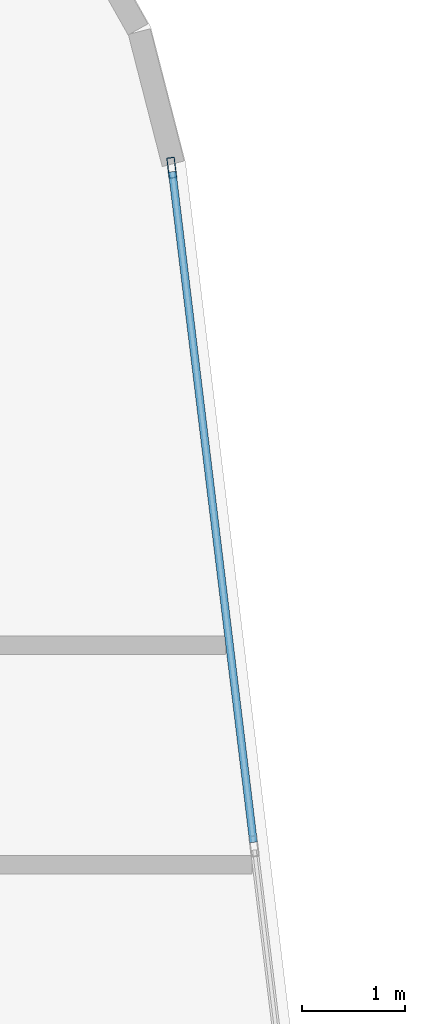
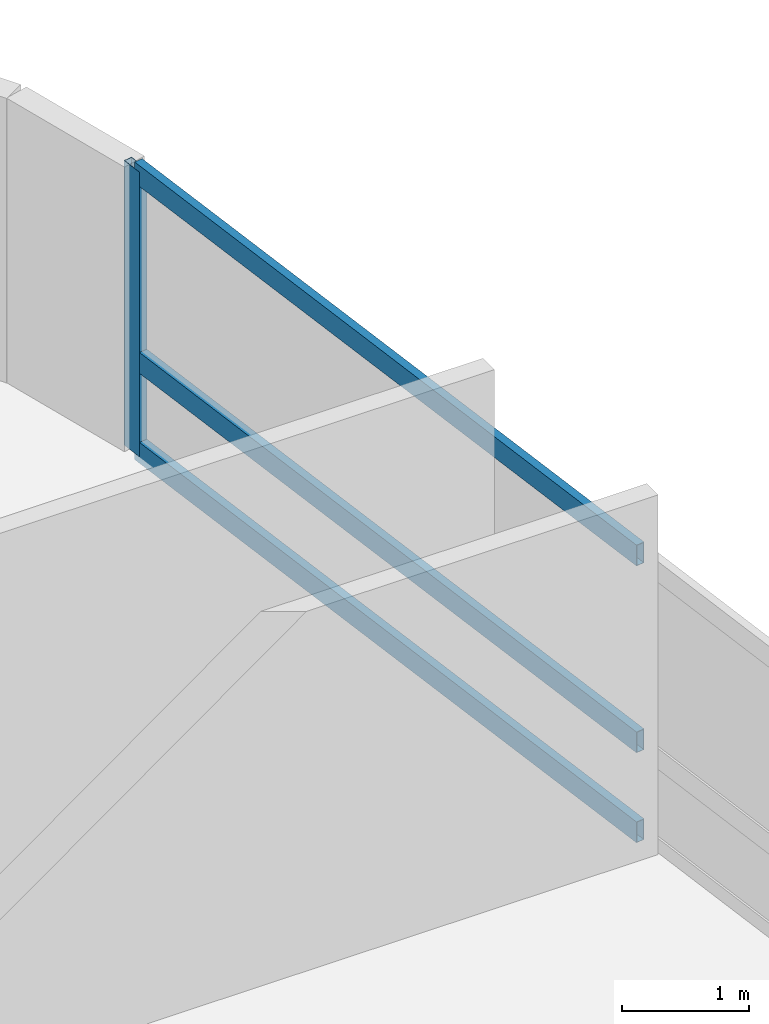
# One storey, part 13 of 24: 4 members, 1 element without a shape of its own.
"""IFC4 building model written with IfcOpenShell, lengths in metres."""

from ifc_helpers import new_model, si_unit, direction, frame, origin, origin_2d, place, context, subcontext, project, spatial, hollow_rectangle, extrude, material, layer, layer_set, material_profile, profile_set, type_object, element, aggregate, save


model = new_model("IFC4")

# Units and contexts
model_context = context("Model", 3, precision=1e-05, world=origin(), true_north=direction((0.0, 1.0)))
body_context = subcontext(model_context, "Body", "Model", "MODEL_VIEW")
ifc_project = project(units=[si_unit("LENGTHUNIT", "METRE"), si_unit("AREAUNIT", "SQUARE_METRE"), si_unit("VOLUMEUNIT", "CUBIC_METRE"), si_unit("PLANEANGLEUNIT", "RADIAN"), si_unit("MASSUNIT", "GRAM", prefix="KILO")], contexts=[model_context])

# Site, building, storey
site_placement = place(None, origin())
site = spatial("IfcSite", under=ifc_project, at=site_placement, CompositionType="ELEMENT")
building_placement = place(site_placement, origin())
building = spatial("IfcBuilding", under=site, at=building_placement, Name="Varnelok Gate Tower", CompositionType="ELEMENT")
storey_placement = place(building_placement, frame((0.0, 0.0, 167.199951171875)))
storey = spatial("IfcBuildingStorey", under=building, at=storey_placement, Name="L42", CompositionType="ELEMENT", Elevation=167.199951171875)

# Curtain wall, members
ifc_material = material(Name="Anodized Aluminum Alloy 6063-T6", Category="aluminium")
ifc_layer = layer(ifc_material, 0.179931640625)
ifc_layer_set = layer_set([ifc_layer], Name="Anodized Aluminum Alloy 6063-T6")
curtain_wall_type = type_object("IfcCurtainWallType", Name="CW4-RESIDENCE-VISION", PredefinedType="USERDEFINED", material=ifc_layer_set)
curtain_wall_placement = place(storey_placement, origin())
curtain_wall = element("IfcCurtainWall", 1, at=curtain_wall_placement, inside=storey, type_object=curtain_wall_type, Name="L42 East End Vision Curtain Wall", ObjectType="UNITISED CURTAIN WALL", PredefinedType="USERDEFINED")
ifc_material_profile_1 = material_profile(ifc_material, hollow_rectangle(XDim=0.074951171875, YDim=0.199951171875, WallThickness=0.00390625, at=origin_2d()), Name="ALU200X75X4")
ifc_profile_set_1 = profile_set([ifc_material_profile_1], Name="Anodized Aluminum Alloy 6063-T6")
member_type_1 = type_object("IfcMemberType", Name="CW-MULL-200", PredefinedType="MULLION", material=ifc_profile_set_1)
member_1_placement = place(storey_placement, frame((72.09912109375, 46.07275390625, 0.0), z_axis=(0.0, 0.0, 1.0), x_axis=(0.992732188751, 0.120344511371, 0.0)))
member_1 = element("IfcMember", 2, at=member_1_placement, type_object=member_type_1, Name="CW4 mullion 1", PredefinedType="MULLION", context=body_context, shape_type="SweptSolid", body=[
    extrude(hollow_rectangle(XDim=0.074951171875, YDim=0.199951171875, WallThickness=0.00390625, at=origin_2d()), origin(), (0.0, 0.0, 1.0), 2.72998046875),
])
ifc_material_profile_2 = material_profile(ifc_material, hollow_rectangle(XDim=0.074951171875, YDim=0.199951171875, WallThickness=0.00390625, at=origin_2d()), Name="ALU200X75X4")
ifc_profile_set_2 = profile_set([ifc_material_profile_2], Name="Anodized Aluminum Alloy 6063-T6")
member_type_2 = type_object("IfcMemberType", Name="CW-TRAN-200", PredefinedType="USERDEFINED", material=ifc_profile_set_2)
member_2_placement = place(storey_placement, frame((72.103759765625, 46.035400390625, 0.03759765625), z_axis=(0.120332477695, -0.992733647466, 0.0), x_axis=(0.992733647466, 0.120332477695, 0.0)))
member_2 = element("IfcMember", 3, at=member_2_placement, type_object=member_type_2, Name="CW4 transom 1.1", ObjectType="TRANSOM", PredefinedType="USERDEFINED", context=body_context, shape_type="SweptSolid", body=[
    extrude(hollow_rectangle(XDim=0.074951171875, YDim=0.199951171875, WallThickness=0.00390625, at=origin_2d()), origin(), (0.0, 0.0, 1.0), 6.5673828125),
])
member_3_placement = place(storey_placement, frame((72.103759765625, 46.035400390625, 0.900146484375), z_axis=(0.120332477695, -0.992733647466, 0.0), x_axis=(0.992733647466, 0.120332477695, 0.0)))
member_3 = element("IfcMember", 4, at=member_3_placement, type_object=member_type_2, Name="CW4 transom 1.2", ObjectType="TRANSOM", PredefinedType="USERDEFINED", context=body_context, shape_type="SweptSolid", body=[
    extrude(hollow_rectangle(XDim=0.074951171875, YDim=0.199951171875, WallThickness=0.00390625, at=origin_2d()), origin(), (0.0, 0.0, 1.0), 6.5673828125),
])
member_4_placement = place(storey_placement, frame((72.103759765625, 46.035400390625, 2.692626953125), z_axis=(0.120332477695, -0.992733647466, 0.0), x_axis=(0.992733647466, 0.120332477695, 0.0)))
member_4 = element("IfcMember", 5, at=member_4_placement, type_object=member_type_2, Name="CW4 transom 1.3", ObjectType="TRANSOM", PredefinedType="USERDEFINED", context=body_context, shape_type="SweptSolid", body=[
    extrude(hollow_rectangle(XDim=0.074951171875, YDim=0.199951171875, WallThickness=0.00390625, at=origin_2d()), origin(), (0.0, 0.0, 1.0), 6.5673828125),
])
aggregate(curtain_wall, [member_1, member_2, member_3, member_4])

save(model, "model.ifc")
